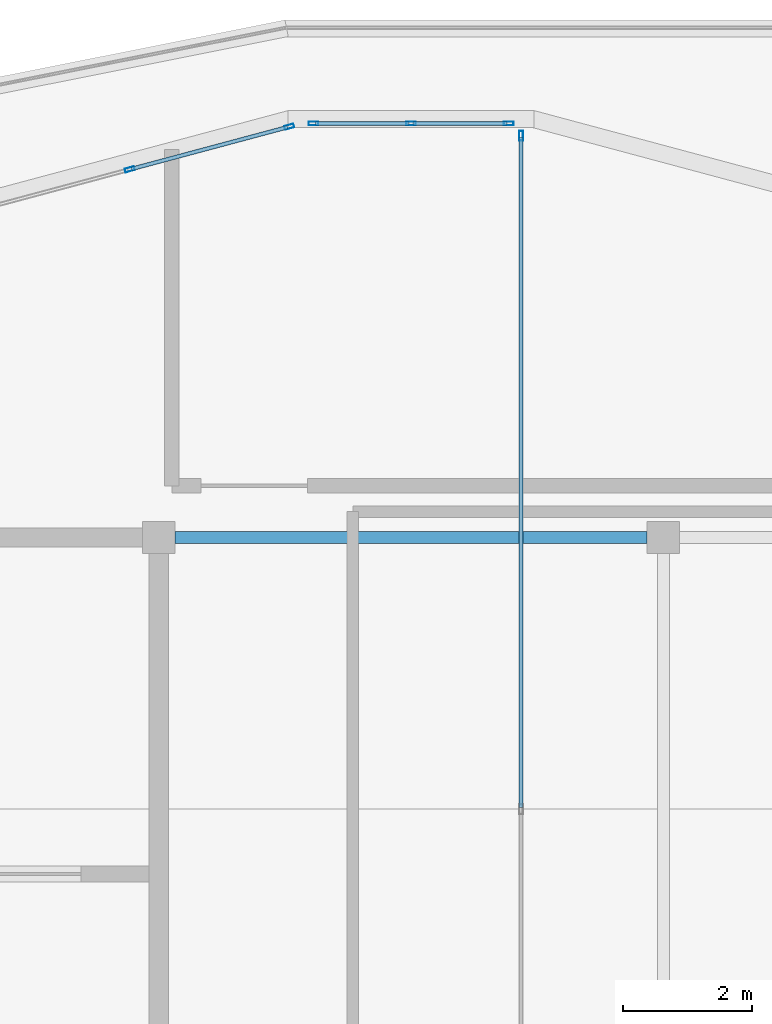
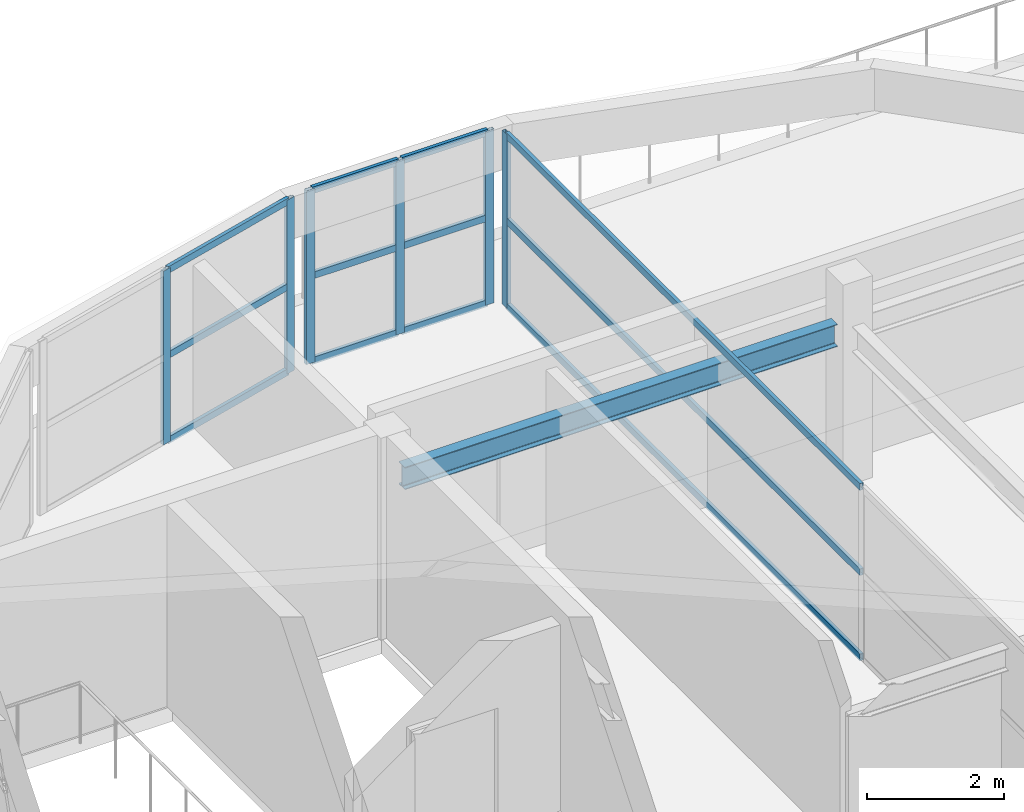
# One storey, part 10 of 15: 18 members, 1 beam, 3 elements without a shape of their own.
"""IFC4 building model written with IfcOpenShell, lengths in metres."""

from ifc_helpers import new_model, si_unit, direction, frame, origin, origin_2d, place, context, subcontext, project, spatial, hollow_rectangle, i_section, extrude, material, layer, layer_set, material_profile, profile_set, type_object, element, aggregate, save


model = new_model("IFC4")

# Units and contexts
model_context = context("Model", 3, precision=1e-05, world=origin(), true_north=direction((0.0, 1.0)))
body_context = subcontext(model_context, "Body", "Model", "MODEL_VIEW")
ifc_project = project(units=[si_unit("LENGTHUNIT", "METRE"), si_unit("AREAUNIT", "SQUARE_METRE"), si_unit("VOLUMEUNIT", "CUBIC_METRE"), si_unit("PLANEANGLEUNIT", "RADIAN"), si_unit("MASSUNIT", "GRAM", prefix="KILO")], contexts=[model_context])

# Site, building, storey
site_placement = place(None, origin())
site = spatial("IfcSite", under=ifc_project, at=site_placement, CompositionType="ELEMENT")
building_placement = place(site_placement, origin())
building = spatial("IfcBuilding", under=site, at=building_placement, Name="Zizhar Promenade General Hospital", CompositionType="ELEMENT")
storey_placement = place(building_placement, frame((0.0, 0.0, 43.199951171875)))
storey = spatial("IfcBuildingStorey", under=building, at=storey_placement, Name="Roof", CompositionType="ELEMENT", Elevation=43.199951171875)

# Beam
ifc_material_1 = material(Name="Steel S355", Category="steel")
ifc_material_profile_1 = material_profile(ifc_material_1, i_section(OverallWidth=0.179931640625, OverallDepth=0.39990234375, WebThickness=0.008544921875, FlangeThickness=0.013427734375, FilletRadius=0.02099609375, at=origin_2d()))
ifc_profile_set_1 = profile_set([ifc_material_profile_1], Name="Steel S355")
beam_type = type_object("IfcBeamType", Name="BM-STL-IPE400", PredefinedType="JOIST", material=ifc_profile_set_1)
beam_placement = place(storey_placement, frame((54.85009765625, 16.800048828125, 2.610107421875), z_axis=(1.0, 0.0, 0.0), x_axis=(0.0, 1.0, 0.0)))
element("IfcBeam", 1, at=beam_placement, inside=storey, type_object=beam_type, Name="Grid Beam X Roof (7-2)", PredefinedType="JOIST", context=body_context, shape_type="SweptSolid", body=[
    extrude(i_section(OverallWidth=0.179931640625, OverallDepth=0.39990234375, WebThickness=0.008544921875, FlangeThickness=0.013427734375, FilletRadius=0.02099609375, at=origin_2d()), origin(), (0.0, 0.0, 1.0), 7.2998046875),
])

# Curtain wall, member
ifc_material_2 = material(Name="Anodised aluminium 6063-T6 and low-E glass", Category="aluminium")
ifc_layer = layer(ifc_material_2, 0.159912109375)
ifc_layer_set = layer_set([ifc_layer], Name="Anodised aluminium 6063-T6 and low-E glass")
curtain_wall_type = type_object("IfcCurtainWallType", Name="CW-WARD-ARC", PredefinedType="NOTDEFINED", material=ifc_layer_set)
curtain_wall_1_placement = place(storey_placement, origin())
curtain_wall_1 = element("IfcCurtainWall", 2, at=curtain_wall_1_placement, inside=storey, type_object=curtain_wall_type, Name="Rooftop Pillow Crown Glazing 03", PredefinedType="NOTDEFINED")
ifc_material_3 = material(Name="Anodised aluminium 6063-T6", Category="aluminium")
ifc_material_profile_2 = material_profile(ifc_material_3, hollow_rectangle(XDim=0.06005859375, YDim=0.14990234375, WallThickness=0.00390625, at=origin_2d()))
ifc_profile_set_2 = profile_set([ifc_material_profile_2], Name="Anodised aluminium 6063-T6")
member_type_1 = type_object("IfcMemberType", Name="CWM-ALU-150x60", PredefinedType="MULLION", material=ifc_profile_set_2)
member_1_placement = place(storey_placement, frame((60.199951171875, 23.010009765625, 0.0), z_axis=(0.0, 0.0, 1.0), x_axis=(1.0, 0.0, 0.0)))
member_1 = element("IfcMember", 3, at=member_1_placement, type_object=member_type_1, Name="CW-12 mullion 1", PredefinedType="MULLION", context=body_context, shape_type="SweptSolid", body=[
    extrude(hollow_rectangle(XDim=0.06005859375, YDim=0.14990234375, WallThickness=0.00390625, at=origin_2d()), origin(), (0.0, 0.0, 1.0), 3.10009765625),
])

# Curtain wall, members
curtain_wall_2_placement = place(storey_placement, origin())
curtain_wall_2 = element("IfcCurtainWall", 4, at=curtain_wall_2_placement, inside=storey, type_object=curtain_wall_type, Name="Rooftop Pillow Crown Glazing 04", PredefinedType="NOTDEFINED")
member_2_placement = place(storey_placement, frame((56.989990234375, 23.199951171875, 0.0), z_axis=(0.0, 0.0, 1.0), x_axis=(0.0, 1.0, 0.0)))
member_2 = element("IfcMember", 5, at=member_2_placement, type_object=member_type_1, Name="CW-12 mullion 1", PredefinedType="MULLION", context=body_context, shape_type="SweptSolid", body=[
    extrude(hollow_rectangle(XDim=0.06005859375, YDim=0.14990234375, WallThickness=0.00390625, at=origin_2d()), origin(), (0.0, 0.0, 1.0), 3.10009765625),
])
member_3_placement = place(storey_placement, frame((58.5, 23.199951171875, 0.0), z_axis=(0.0, 0.0, 1.0), x_axis=(0.0, 1.0, 0.0)))
member_3 = element("IfcMember", 6, at=member_3_placement, type_object=member_type_1, Name="CW-12 mullion 2", PredefinedType="MULLION", context=body_context, shape_type="SweptSolid", body=[
    extrude(hollow_rectangle(XDim=0.06005859375, YDim=0.14990234375, WallThickness=0.00390625, at=origin_2d()), origin(), (0.0, 0.0, 1.0), 3.10009765625),
])
member_4_placement = place(storey_placement, frame((60.010009765625, 23.199951171875, 0.0), z_axis=(0.0, 0.0, 1.0), x_axis=(0.0, 1.0, 0.0)))
member_4 = element("IfcMember", 7, at=member_4_placement, type_object=member_type_1, Name="CW-12 mullion 3", PredefinedType="MULLION", context=body_context, shape_type="SweptSolid", body=[
    extrude(hollow_rectangle(XDim=0.06005859375, YDim=0.14990234375, WallThickness=0.00390625, at=origin_2d()), origin(), (0.0, 0.0, 1.0), 3.10009765625),
])

curtain_wall_3_placement = place(storey_placement, origin())
curtain_wall_3 = element("IfcCurtainWall", 8, at=curtain_wall_3_placement, inside=storey, type_object=curtain_wall_type, Name="Rooftop Pillow Crown Glazing 05", PredefinedType="NOTDEFINED")
member_5_placement = place(storey_placement, frame((54.14990234375, 22.489990234375, 0.0), z_axis=(0.0, 0.0, 1.0), x_axis=(-0.258812829994, 0.965927491601, 0.0)))
member_5 = element("IfcMember", 9, at=member_5_placement, type_object=member_type_1, Name="CW-12 mullion 2", PredefinedType="MULLION", context=body_context, shape_type="SweptSolid", body=[
    extrude(hollow_rectangle(XDim=0.06005859375, YDim=0.14990234375, WallThickness=0.00390625, at=origin_2d()), origin(), (0.0, 0.0, 1.0), 3.10009765625),
])
member_6_placement = place(storey_placement, frame((56.616455078125, 23.15087890625, 0.0), z_axis=(0.0, 0.0, 1.0), x_axis=(-0.258812829994, 0.965927491601, 0.0)))
member_6 = element("IfcMember", 10, at=member_6_placement, type_object=member_type_1, Name="CW-12 mullion 3", PredefinedType="MULLION", context=body_context, shape_type="SweptSolid", body=[
    extrude(hollow_rectangle(XDim=0.06005859375, YDim=0.14990234375, WallThickness=0.00390625, at=origin_2d()), origin(), (0.0, 0.0, 1.0), 3.10009765625),
])

# Member
ifc_material_4 = material(Name="Anodised aluminium 6063-T6", Category="aluminium")
ifc_material_profile_3 = material_profile(ifc_material_4, hollow_rectangle(XDim=0.06005859375, YDim=0.1201171875, WallThickness=0.00390625, at=origin_2d()))
ifc_profile_set_3 = profile_set([ifc_material_profile_3], Name="Anodised aluminium 6063-T6")
member_type_2 = type_object("IfcMemberType", Name="CWT-ALU-120x60", PredefinedType="USERDEFINED", material=ifc_profile_set_3)
member_7_placement = place(storey_placement, frame((60.199951171875, 22.97998046875, 0.030029296875), z_axis=(0.0, -1.0, 0.0), x_axis=(1.0, 0.0, 0.0)))
member_7 = element("IfcMember", 11, at=member_7_placement, type_object=member_type_2, Name="CW-12 transom 1.1", ObjectType="TRANSOM", PredefinedType="USERDEFINED", context=body_context, shape_type="SweptSolid", body=[
    extrude(hollow_rectangle(XDim=0.06005859375, YDim=0.1201171875, WallThickness=0.00390625, at=origin_2d()), origin(), (0.0, 0.0, 1.0), 10.35009765625),
])

member_8_placement = place(storey_placement, frame((60.199951171875, 22.97998046875, 1.550048828125), z_axis=(0.0, -1.0, 0.0), x_axis=(1.0, 0.0, 0.0)))
member_8 = element("IfcMember", 12, at=member_8_placement, type_object=member_type_2, Name="CW-12 transom 1.2", ObjectType="TRANSOM", PredefinedType="USERDEFINED", context=body_context, shape_type="SweptSolid", body=[
    extrude(hollow_rectangle(XDim=0.06005859375, YDim=0.1201171875, WallThickness=0.00390625, at=origin_2d()), origin(), (0.0, 0.0, 1.0), 10.35009765625),
])

member_9_placement = place(storey_placement, frame((60.199951171875, 22.97998046875, 3.070068359375), z_axis=(0.0, -1.0, 0.0), x_axis=(1.0, 0.0, 0.0)))
member_9 = element("IfcMember", 13, at=member_9_placement, type_object=member_type_2, Name="CW-12 transom 1.3", ObjectType="TRANSOM", PredefinedType="USERDEFINED", context=body_context, shape_type="SweptSolid", body=[
    extrude(hollow_rectangle(XDim=0.06005859375, YDim=0.1201171875, WallThickness=0.00390625, at=origin_2d()), origin(), (0.0, 0.0, 1.0), 10.35009765625),
])

aggregate(curtain_wall_1, [member_1, member_7, member_8, member_9])

member_10_placement = place(storey_placement, frame((57.02001953125, 23.199951171875, 0.030029296875), z_axis=(1.0, 0.0, 0.0), x_axis=(0.0, 1.0, 0.0)))
member_10 = element("IfcMember", 14, at=member_10_placement, type_object=member_type_2, Name="CW-12 transom 1.1", ObjectType="TRANSOM", PredefinedType="USERDEFINED", context=body_context, shape_type="SweptSolid", body=[
    extrude(hollow_rectangle(XDim=0.06005859375, YDim=0.1201171875, WallThickness=0.00390625, at=origin_2d()), origin(), (0.0, 0.0, 1.0), 1.449951171875),
])

member_11_placement = place(storey_placement, frame((57.02001953125, 23.199951171875, 1.550048828125), z_axis=(1.0, 0.0, 0.0), x_axis=(0.0, 1.0, 0.0)))
member_11 = element("IfcMember", 15, at=member_11_placement, type_object=member_type_2, Name="CW-12 transom 1.2", ObjectType="TRANSOM", PredefinedType="USERDEFINED", context=body_context, shape_type="SweptSolid", body=[
    extrude(hollow_rectangle(XDim=0.06005859375, YDim=0.1201171875, WallThickness=0.00390625, at=origin_2d()), origin(), (0.0, 0.0, 1.0), 1.449951171875),
])

member_12_placement = place(storey_placement, frame((57.02001953125, 23.199951171875, 3.070068359375), z_axis=(1.0, 0.0, 0.0), x_axis=(0.0, 1.0, 0.0)))
member_12 = element("IfcMember", 16, at=member_12_placement, type_object=member_type_2, Name="CW-12 transom 1.3", ObjectType="TRANSOM", PredefinedType="USERDEFINED", context=body_context, shape_type="SweptSolid", body=[
    extrude(hollow_rectangle(XDim=0.06005859375, YDim=0.1201171875, WallThickness=0.00390625, at=origin_2d()), origin(), (0.0, 0.0, 1.0), 1.449951171875),
])

member_13_placement = place(storey_placement, frame((58.530029296875, 23.199951171875, 0.030029296875), z_axis=(1.0, 0.0, 0.0), x_axis=(0.0, 1.0, 0.0)))
member_13 = element("IfcMember", 17, at=member_13_placement, type_object=member_type_2, Name="CW-12 transom 2.1", ObjectType="TRANSOM", PredefinedType="USERDEFINED", context=body_context, shape_type="SweptSolid", body=[
    extrude(hollow_rectangle(XDim=0.06005859375, YDim=0.1201171875, WallThickness=0.00390625, at=origin_2d()), origin(), (0.0, 0.0, 1.0), 1.449951171875),
])

member_14_placement = place(storey_placement, frame((58.530029296875, 23.199951171875, 1.550048828125), z_axis=(1.0, 0.0, 0.0), x_axis=(0.0, 1.0, 0.0)))
member_14 = element("IfcMember", 18, at=member_14_placement, type_object=member_type_2, Name="CW-12 transom 2.2", ObjectType="TRANSOM", PredefinedType="USERDEFINED", context=body_context, shape_type="SweptSolid", body=[
    extrude(hollow_rectangle(XDim=0.06005859375, YDim=0.1201171875, WallThickness=0.00390625, at=origin_2d()), origin(), (0.0, 0.0, 1.0), 1.449951171875),
])

member_15_placement = place(storey_placement, frame((58.530029296875, 23.199951171875, 3.070068359375), z_axis=(1.0, 0.0, 0.0), x_axis=(0.0, 1.0, 0.0)))
member_15 = element("IfcMember", 19, at=member_15_placement, type_object=member_type_2, Name="CW-12 transom 2.3", ObjectType="TRANSOM", PredefinedType="USERDEFINED", context=body_context, shape_type="SweptSolid", body=[
    extrude(hollow_rectangle(XDim=0.06005859375, YDim=0.1201171875, WallThickness=0.00390625, at=origin_2d()), origin(), (0.0, 0.0, 1.0), 1.449951171875),
])

aggregate(curtain_wall_2, [member_2, member_3, member_4, member_10, member_11, member_12, member_13, member_14, member_15])

member_16_placement = place(storey_placement, frame((54.178955078125, 22.497802734375, 0.030029296875), z_axis=(0.965940185955, 0.258765448153, 0.0), x_axis=(-0.258765448153, 0.965940185955, 0.0)))
member_16 = element("IfcMember", 20, at=member_16_placement, type_object=member_type_2, Name="CW-12 transom 2.1", ObjectType="TRANSOM", PredefinedType="USERDEFINED", context=body_context, shape_type="SweptSolid", body=[
    extrude(hollow_rectangle(XDim=0.06005859375, YDim=0.1201171875, WallThickness=0.00390625, at=origin_2d()), origin(), (0.0, 0.0, 1.0), 2.49365234375),
])

member_17_placement = place(storey_placement, frame((54.178955078125, 22.497802734375, 1.550048828125), z_axis=(0.965940185955, 0.258765448153, 0.0), x_axis=(-0.258765448153, 0.965940185955, 0.0)))
member_17 = element("IfcMember", 21, at=member_17_placement, type_object=member_type_2, Name="CW-12 transom 2.2", ObjectType="TRANSOM", PredefinedType="USERDEFINED", context=body_context, shape_type="SweptSolid", body=[
    extrude(hollow_rectangle(XDim=0.06005859375, YDim=0.1201171875, WallThickness=0.00390625, at=origin_2d()), origin(), (0.0, 0.0, 1.0), 2.49365234375),
])

member_18_placement = place(storey_placement, frame((54.178955078125, 22.497802734375, 3.070068359375), z_axis=(0.965940185955, 0.258765448153, 0.0), x_axis=(-0.258765448153, 0.965940185955, 0.0)))
member_18 = element("IfcMember", 22, at=member_18_placement, type_object=member_type_2, Name="CW-12 transom 2.3", ObjectType="TRANSOM", PredefinedType="USERDEFINED", context=body_context, shape_type="SweptSolid", body=[
    extrude(hollow_rectangle(XDim=0.06005859375, YDim=0.1201171875, WallThickness=0.00390625, at=origin_2d()), origin(), (0.0, 0.0, 1.0), 2.49365234375),
])

aggregate(curtain_wall_3, [member_5, member_6, member_16, member_17, member_18])

save(model, "model.ifc")
